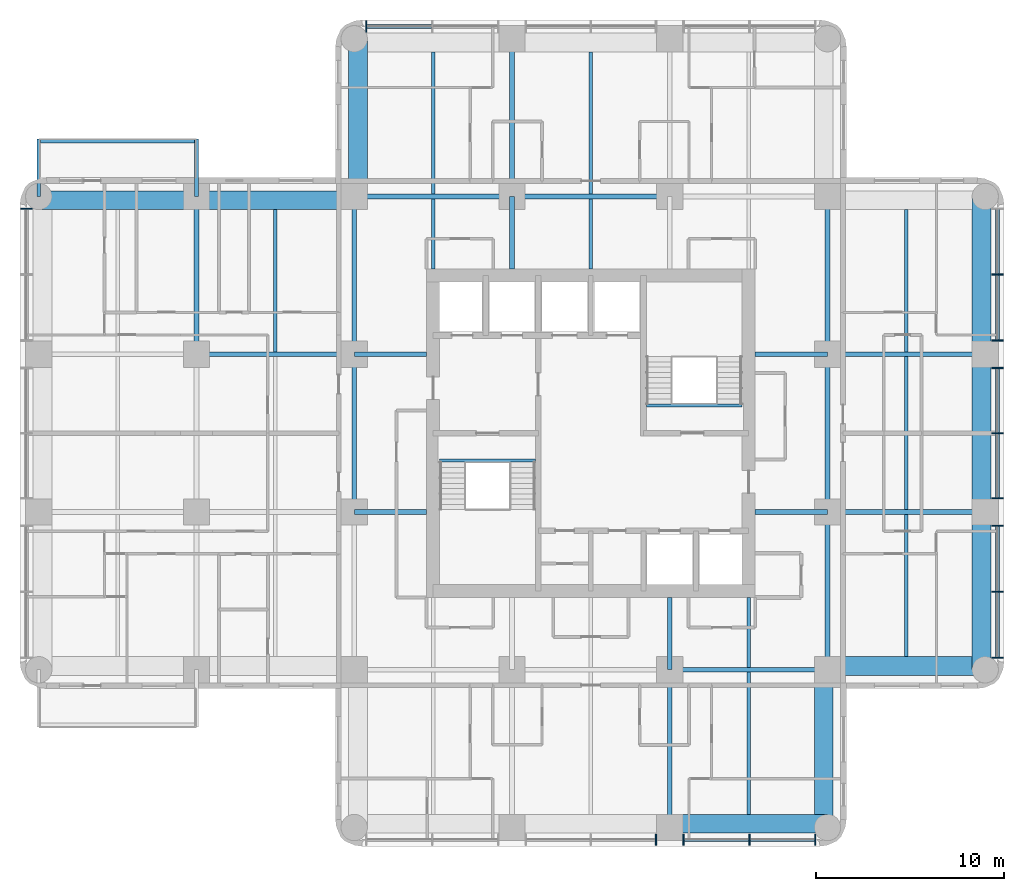
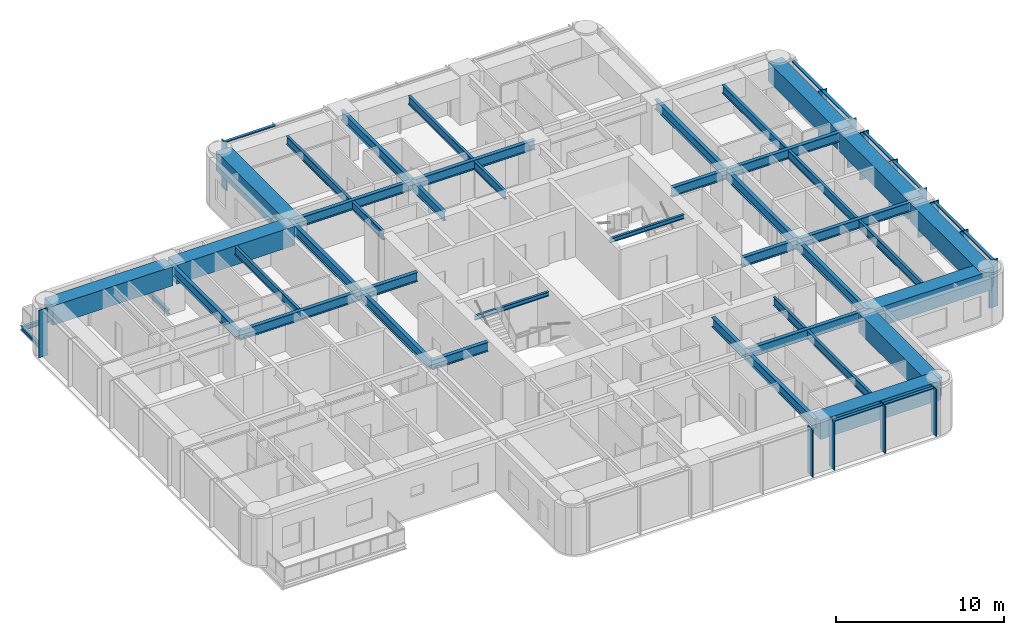
# One storey, part 2 of 11: 44 beams, 23 members, 4 elements without a shape of their own.
"""IFC4 building model written with IfcOpenShell, lengths in metres."""

from ifc_helpers import new_model, si_unit, direction, frame, origin, origin_2d, place, context, subcontext, project, spatial, rectangle, i_section, extrude, material, material_profile, profile_set, type_object, element, aggregate, save


model = new_model("IFC4")

# Units and contexts
model_context = context("Model", 3, precision=1e-05, world=origin(), true_north=direction((0.0, 1.0)))
body_context = subcontext(model_context, "Body", "Model", "MODEL_VIEW")
ifc_project = project(units=[si_unit("LENGTHUNIT", "METRE"), si_unit("AREAUNIT", "SQUARE_METRE"), si_unit("VOLUMEUNIT", "CUBIC_METRE"), si_unit("PLANEANGLEUNIT", "RADIAN"), si_unit("MASSUNIT", "GRAM", prefix="KILO")], contexts=[model_context])

# Site, building, storey
site_placement = place(None, origin())
site = spatial("IfcSite", under=ifc_project, at=site_placement, CompositionType="ELEMENT")
building_placement = place(site_placement, origin())
building = spatial("IfcBuilding", under=site, at=building_placement, Name="Torre Alcanfor", CompositionType="ELEMENT")
storey_placement = place(building_placement, frame((0.0, 0.0, 197.699951171875)))
storey = spatial("IfcBuildingStorey", under=building, at=storey_placement, Name="L51", CompositionType="ELEMENT", Elevation=197.699951171875)

# Beams
ifc_material_1 = material(Name="Steel ASTM A992 Grade 50", Category="steel")
ifc_material_profile_1 = material_profile(ifc_material_1, i_section(OverallWidth=0.205322265625, OverallDepth=0.309814453125, WebThickness=0.00927734375, FlangeThickness=0.016357421875, at=origin_2d()), Name="W12x50")
ifc_profile_set_1 = profile_set([ifc_material_profile_1], Name="Steel ASTM A992 Grade 50")
beam_type_1 = type_object("IfcBeamType", Name="Balcony cantilever beam W12x50", PredefinedType="BEAM", material=ifc_profile_set_1)
for number, where, z_axis, x_axis, name in (
    (1, (8.39990234375, 42.0, -0.35498046875), (0.0, 1.0, 0.0), (-1.0, 0.0, 0.0), "Balcony cantilever beam L51-W2 1"),
    (2, (0.0, 42.0, -0.35498046875), (0.0, 1.0, 0.0), (-1.0, 0.0, 0.0), "Balcony cantilever beam L51-W2 2"),
):
    element("IfcBeam", number, at=place(storey_placement, frame(where, z_axis=z_axis, x_axis=x_axis)), inside=storey, type_object=beam_type_1, Name=name, PredefinedType="BEAM", context=body_context, shape_type="SweptSolid", body=[
        extrude(i_section(OverallWidth=0.205322265625, OverallDepth=0.309814453125, WebThickness=0.00927734375, FlangeThickness=0.016357421875, at=origin_2d()), origin(), (0.0, 0.0, 1.0), 3.050048828125),
    ])
ifc_material_2 = material(Name="Steel ASTM A992 Grade 50", Category="steel")
ifc_material_profile_2 = material_profile(ifc_material_2, i_section(OverallWidth=0.203369140625, OverallDepth=0.30224609375, WebThickness=0.007568359375, FlangeThickness=0.01318359375, at=origin_2d()), Name="W12x40")
ifc_profile_set_2 = profile_set([ifc_material_profile_2], Name="Steel ASTM A992 Grade 50")
beam_type_2 = type_object("IfcBeamType", Name="Balcony edge trimmer W12x40", PredefinedType="BEAM", material=ifc_profile_set_2)
beam_1_placement = place(storey_placement, frame((8.39990234375, 44.9482421875, -0.35107421875), z_axis=(-1.0, 0.0, 0.0), x_axis=(0.0, -1.0, 0.0)))
element("IfcBeam", 3, at=beam_1_placement, inside=storey, type_object=beam_type_2, Name="Balcony edge trimmer L51-W2", PredefinedType="BEAM", context=body_context, shape_type="SweptSolid", body=[
    extrude(i_section(OverallWidth=0.203369140625, OverallDepth=0.30224609375, WebThickness=0.007568359375, FlangeThickness=0.01318359375, at=origin_2d()), origin(), (0.0, 0.0, 1.0), 8.39990234375),
])

# Curtain wall, member
ifc_material_3 = material(Name="Aluminium and glass", Category="aluminium")
curtain_wall_type = type_object("IfcCurtainWallType", Name="CW-A unitised apartment glazing with vertical FIN", PredefinedType="NOTDEFINED", material=ifc_material_3)
curtain_wall_1_placement = place(storey_placement, origin())
curtain_wall_1 = element("IfcCurtainWall", 4, at=curtain_wall_1_placement, inside=storey, type_object=curtain_wall_type, Name="Curtain wall CW-A L51 2", PredefinedType="NOTDEFINED")
ifc_material_4 = material(Name="Bronze anodised aluminium", Category="aluminium")
ifc_material_profile_3 = material_profile(ifc_material_4, rectangle(XDim=0.60009765625, YDim=0.06494140625, at=origin_2d()), Name="CW-A mullion 65x600")
ifc_profile_set_3 = profile_set([ifc_material_profile_3], Name="Bronze anodised aluminium")
member_type_1 = type_object("IfcMemberType", Name="CW-A mullion with vertical FIN 65x600", PredefinedType="MULLION", material=ifc_profile_set_3)
member_1_placement = place(storey_placement, frame((-0.64990234375, 41.35546875, 0.0), z_axis=(0.0, 0.0, 1.0), x_axis=(1.0, 0.0, 0.0)))
member_1 = element("IfcMember", 5, at=member_1_placement, type_object=member_type_1, Name="CW-A mullion 1.1", PredefinedType="MULLION", context=body_context, shape_type="SweptSolid", body=[
    extrude(rectangle(XDim=0.60009765625, YDim=0.06494140625, at=origin_2d()), origin(), (0.0, 0.0, 1.0), 3.449951171875),
])
aggregate(curtain_wall_1, [member_1])

# Curtain wall, members
curtain_wall_2_placement = place(storey_placement, origin())
curtain_wall_2 = element("IfcCurtainWall", 6, at=curtain_wall_2_placement, inside=storey, type_object=curtain_wall_type, Name="Curtain wall CW-A L51 5", PredefinedType="NOTDEFINED")
member_2_placement = place(storey_placement, frame((32.862548828125, 7.75, 0.0), z_axis=(0.0, 0.0, 1.0), x_axis=(0.0, 1.0, 0.0)))
member_2 = element("IfcMember", 7, at=member_2_placement, type_object=member_type_1, Name="CW-A mullion 2.3", PredefinedType="MULLION", context=body_context, shape_type="SweptSolid", body=[
    extrude(rectangle(XDim=0.60009765625, YDim=0.06494140625, at=origin_2d()), origin(), (0.0, 0.0, 1.0), 3.449951171875),
])
member_3_placement = place(storey_placement, frame((34.33740234375, 7.75, 0.0), z_axis=(0.0, 0.0, 1.0), x_axis=(0.0, 1.0, 0.0)))
member_3 = element("IfcMember", 8, at=member_3_placement, type_object=member_type_1, Name="CW-A mullion 3.1", PredefinedType="MULLION", context=body_context, shape_type="SweptSolid", body=[
    extrude(rectangle(XDim=0.60009765625, YDim=0.06494140625, at=origin_2d()), origin(), (0.0, 0.0, 1.0), 3.449951171875),
])
member_4_placement = place(storey_placement, frame((37.846435546875, 7.75, 0.0), z_axis=(0.0, 0.0, 1.0), x_axis=(0.0, 1.0, 0.0)))
member_4 = element("IfcMember", 9, at=member_4_placement, type_object=member_type_1, Name="CW-A mullion 3.2", PredefinedType="MULLION", context=body_context, shape_type="SweptSolid", body=[
    extrude(rectangle(XDim=0.60009765625, YDim=0.06494140625, at=origin_2d()), origin(), (0.0, 0.0, 1.0), 3.449951171875),
])
member_5_placement = place(storey_placement, frame((41.35546875, 7.75, 0.0), z_axis=(0.0, 0.0, 1.0), x_axis=(0.0, 1.0, 0.0)))
member_5 = element("IfcMember", 10, at=member_5_placement, type_object=member_type_1, Name="CW-A mullion 3.3", PredefinedType="MULLION", context=body_context, shape_type="SweptSolid", body=[
    extrude(rectangle(XDim=0.60009765625, YDim=0.06494140625, at=origin_2d()), origin(), (0.0, 0.0, 1.0), 3.449951171875),
])

curtain_wall_3_placement = place(storey_placement, origin())
curtain_wall_3 = element("IfcCurtainWall", 11, at=curtain_wall_3_placement, inside=storey, type_object=curtain_wall_type, Name="Curtain wall CW-A L51 8", PredefinedType="NOTDEFINED")
member_6_placement = place(storey_placement, frame((51.050048828125, 17.444580078125, 0.0), z_axis=(0.0, 0.0, 1.0), x_axis=(-1.0, 0.0, 0.0)))
member_6 = element("IfcMember", 12, at=member_6_placement, type_object=member_type_1, Name="CW-A mullion 1.1", PredefinedType="MULLION", context=body_context, shape_type="SweptSolid", body=[
    extrude(rectangle(XDim=0.60009765625, YDim=0.06494140625, at=origin_2d()), origin(), (0.0, 0.0, 1.0), 3.449951171875),
])
member_7_placement = place(storey_placement, frame((51.050048828125, 20.95361328125, 0.0), z_axis=(0.0, 0.0, 1.0), x_axis=(-1.0, 0.0, 0.0)))
member_7 = element("IfcMember", 13, at=member_7_placement, type_object=member_type_1, Name="CW-A mullion 1.2", PredefinedType="MULLION", context=body_context, shape_type="SweptSolid", body=[
    extrude(rectangle(XDim=0.60009765625, YDim=0.06494140625, at=origin_2d()), origin(), (0.0, 0.0, 1.0), 3.449951171875),
])
member_8_placement = place(storey_placement, frame((51.050048828125, 24.46240234375, 0.0), z_axis=(0.0, 0.0, 1.0), x_axis=(-1.0, 0.0, 0.0)))
member_8 = element("IfcMember", 14, at=member_8_placement, type_object=member_type_1, Name="CW-A mullion 1.3", PredefinedType="MULLION", context=body_context, shape_type="SweptSolid", body=[
    extrude(rectangle(XDim=0.60009765625, YDim=0.06494140625, at=origin_2d()), origin(), (0.0, 0.0, 1.0), 3.449951171875),
])
member_9_placement = place(storey_placement, frame((51.050048828125, 25.9375, 0.0), z_axis=(0.0, 0.0, 1.0), x_axis=(-1.0, 0.0, 0.0)))
member_9 = element("IfcMember", 15, at=member_9_placement, type_object=member_type_1, Name="CW-A mullion 2.1", PredefinedType="MULLION", context=body_context, shape_type="SweptSolid", body=[
    extrude(rectangle(XDim=0.60009765625, YDim=0.06494140625, at=origin_2d()), origin(), (0.0, 0.0, 1.0), 3.449951171875),
])
member_10_placement = place(storey_placement, frame((51.050048828125, 29.39990234375, 0.0), z_axis=(0.0, 0.0, 1.0), x_axis=(-1.0, 0.0, 0.0)))
member_10 = element("IfcMember", 16, at=member_10_placement, type_object=member_type_1, Name="CW-A mullion 2.2", PredefinedType="MULLION", context=body_context, shape_type="SweptSolid", body=[
    extrude(rectangle(XDim=0.60009765625, YDim=0.06494140625, at=origin_2d()), origin(), (0.0, 0.0, 1.0), 3.449951171875),
])
member_11_placement = place(storey_placement, frame((51.050048828125, 32.862548828125, 0.0), z_axis=(0.0, 0.0, 1.0), x_axis=(-1.0, 0.0, 0.0)))
member_11 = element("IfcMember", 17, at=member_11_placement, type_object=member_type_1, Name="CW-A mullion 2.3", PredefinedType="MULLION", context=body_context, shape_type="SweptSolid", body=[
    extrude(rectangle(XDim=0.60009765625, YDim=0.06494140625, at=origin_2d()), origin(), (0.0, 0.0, 1.0), 3.449951171875),
])
member_12_placement = place(storey_placement, frame((51.050048828125, 34.33740234375, 0.0), z_axis=(0.0, 0.0, 1.0), x_axis=(-1.0, 0.0, 0.0)))
member_12 = element("IfcMember", 18, at=member_12_placement, type_object=member_type_1, Name="CW-A mullion 3.1", PredefinedType="MULLION", context=body_context, shape_type="SweptSolid", body=[
    extrude(rectangle(XDim=0.60009765625, YDim=0.06494140625, at=origin_2d()), origin(), (0.0, 0.0, 1.0), 3.449951171875),
])
member_13_placement = place(storey_placement, frame((51.050048828125, 37.846435546875, 0.0), z_axis=(0.0, 0.0, 1.0), x_axis=(-1.0, 0.0, 0.0)))
member_13 = element("IfcMember", 19, at=member_13_placement, type_object=member_type_1, Name="CW-A mullion 3.2", PredefinedType="MULLION", context=body_context, shape_type="SweptSolid", body=[
    extrude(rectangle(XDim=0.60009765625, YDim=0.06494140625, at=origin_2d()), origin(), (0.0, 0.0, 1.0), 3.449951171875),
])

# Curtain wall, member
curtain_wall_4_placement = place(storey_placement, origin())
curtain_wall_4 = element("IfcCurtainWall", 20, at=curtain_wall_4_placement, inside=storey, type_object=curtain_wall_type, Name="Curtain wall CW-A L51 11", PredefinedType="NOTDEFINED")
member_14_placement = place(storey_placement, frame((17.444580078125, 51.050048828125, 0.0), z_axis=(0.0, 0.0, 1.0), x_axis=(0.0, -1.0, 0.0)))
member_14 = element("IfcMember", 21, at=member_14_placement, type_object=member_type_1, Name="CW-A mullion 3.3", PredefinedType="MULLION", context=body_context, shape_type="SweptSolid", body=[
    extrude(rectangle(XDim=0.60009765625, YDim=0.06494140625, at=origin_2d()), origin(), (0.0, 0.0, 1.0), 3.449951171875),
])

# Member
ifc_material_5 = material(Name="Extruded aluminium", Category="aluminium")
ifc_material_profile_4 = material_profile(ifc_material_5, rectangle(XDim=0.199951171875, YDim=0.06494140625, at=origin_2d()), Name="CW-A transom 200x65")
ifc_profile_set_4 = profile_set([ifc_material_profile_4], Name="Extruded aluminium")
member_type_2 = type_object("IfcMemberType", Name="CW-A transom 65x200", PredefinedType="USERDEFINED", material=ifc_profile_set_4)
member_15_placement = place(storey_placement, frame((34.3701171875, 7.75, 3.41748046875), z_axis=(1.0, 0.0, 0.0), x_axis=(0.0, 1.0, 0.0)))
member_15 = element("IfcMember", 22, at=member_15_placement, type_object=member_type_2, Name="CW-A transom 3.1.2", ObjectType="TRANSOM", PredefinedType="USERDEFINED", context=body_context, shape_type="SweptSolid", body=[
    extrude(rectangle(XDim=0.199951171875, YDim=0.06494140625, at=origin_2d()), origin(), (0.0, 0.0, 1.0), 3.44384765625),
])

member_16_placement = place(storey_placement, frame((37.87890625, 7.75, 3.41748046875), z_axis=(1.0, 0.0, 0.0), x_axis=(0.0, 1.0, 0.0)))
member_16 = element("IfcMember", 23, at=member_16_placement, type_object=member_type_2, Name="CW-A transom 3.2.2", ObjectType="TRANSOM", PredefinedType="USERDEFINED", context=body_context, shape_type="SweptSolid", body=[
    extrude(rectangle(XDim=0.199951171875, YDim=0.06494140625, at=origin_2d()), origin(), (0.0, 0.0, 1.0), 3.444091796875),
])

aggregate(curtain_wall_2, [member_2, member_3, member_4, member_5, member_15, member_16])

member_17_placement = place(storey_placement, frame((51.050048828125, 17.47705078125, 3.41748046875), z_axis=(0.0, 1.0, 0.0), x_axis=(-1.0, 0.0, 0.0)))
member_17 = element("IfcMember", 24, at=member_17_placement, type_object=member_type_2, Name="CW-A transom 1.1.2", ObjectType="TRANSOM", PredefinedType="USERDEFINED", context=body_context, shape_type="SweptSolid", body=[
    extrude(rectangle(XDim=0.199951171875, YDim=0.06494140625, at=origin_2d()), origin(), (0.0, 0.0, 1.0), 3.44384765625),
])

member_18_placement = place(storey_placement, frame((51.050048828125, 20.986083984375, 3.41748046875), z_axis=(0.0, 1.0, 0.0), x_axis=(-1.0, 0.0, 0.0)))
member_18 = element("IfcMember", 25, at=member_18_placement, type_object=member_type_2, Name="CW-A transom 1.2.2", ObjectType="TRANSOM", PredefinedType="USERDEFINED", context=body_context, shape_type="SweptSolid", body=[
    extrude(rectangle(XDim=0.199951171875, YDim=0.06494140625, at=origin_2d()), origin(), (0.0, 0.0, 1.0), 3.44384765625),
])

member_19_placement = place(storey_placement, frame((51.050048828125, 25.969970703125, 3.41748046875), z_axis=(0.0, 1.0, 0.0), x_axis=(-1.0, 0.0, 0.0)))
member_19 = element("IfcMember", 26, at=member_19_placement, type_object=member_type_2, Name="CW-A transom 2.1.2", ObjectType="TRANSOM", PredefinedType="USERDEFINED", context=body_context, shape_type="SweptSolid", body=[
    extrude(rectangle(XDim=0.199951171875, YDim=0.06494140625, at=origin_2d()), origin(), (0.0, 0.0, 1.0), 3.3974609375),
])

member_20_placement = place(storey_placement, frame((51.050048828125, 29.4326171875, 3.41748046875), z_axis=(0.0, 1.0, 0.0), x_axis=(-1.0, 0.0, 0.0)))
member_20 = element("IfcMember", 27, at=member_20_placement, type_object=member_type_2, Name="CW-A transom 2.2.2", ObjectType="TRANSOM", PredefinedType="USERDEFINED", context=body_context, shape_type="SweptSolid", body=[
    extrude(rectangle(XDim=0.199951171875, YDim=0.06494140625, at=origin_2d()), origin(), (0.0, 0.0, 1.0), 3.3974609375),
])

member_21_placement = place(storey_placement, frame((51.050048828125, 34.3701171875, 3.41748046875), z_axis=(0.0, 1.0, 0.0), x_axis=(-1.0, 0.0, 0.0)))
member_21 = element("IfcMember", 28, at=member_21_placement, type_object=member_type_2, Name="CW-A transom 3.1.2", ObjectType="TRANSOM", PredefinedType="USERDEFINED", context=body_context, shape_type="SweptSolid", body=[
    extrude(rectangle(XDim=0.199951171875, YDim=0.06494140625, at=origin_2d()), origin(), (0.0, 0.0, 1.0), 3.44384765625),
])

member_22_placement = place(storey_placement, frame((51.050048828125, 37.87890625, 3.41748046875), z_axis=(0.0, 1.0, 0.0), x_axis=(-1.0, 0.0, 0.0)))
member_22 = element("IfcMember", 29, at=member_22_placement, type_object=member_type_2, Name="CW-A transom 3.2.2", ObjectType="TRANSOM", PredefinedType="USERDEFINED", context=body_context, shape_type="SweptSolid", body=[
    extrude(rectangle(XDim=0.199951171875, YDim=0.06494140625, at=origin_2d()), origin(), (0.0, 0.0, 1.0), 3.444091796875),
])

aggregate(curtain_wall_3, [member_6, member_7, member_8, member_17, member_18, member_9, member_10, member_11, member_19, member_20, member_12, member_13, member_21, member_22])

member_23_placement = place(storey_placement, frame((20.9208984375, 51.050048828125, 3.41748046875), z_axis=(-1.0, 0.0, 0.0), x_axis=(0.0, -1.0, 0.0)))
member_23 = element("IfcMember", 30, at=member_23_placement, type_object=member_type_2, Name="CW-A transom 3.2.2", ObjectType="TRANSOM", PredefinedType="USERDEFINED", context=body_context, shape_type="SweptSolid", body=[
    extrude(rectangle(XDim=0.199951171875, YDim=0.06494140625, at=origin_2d()), origin(), (0.0, 0.0, 1.0), 3.44384765625),
])

aggregate(curtain_wall_4, [member_14, member_23])

# Beams
ifc_material_6 = material(Name="Steel ASTM A992 Grade 50", Category="steel")
ifc_material_profile_5 = material_profile(ifc_material_6, i_section(OverallWidth=0.25390625, OverallDepth=0.683349609375, WebThickness=0.012451171875, FlangeThickness=0.01904296875, at=origin_2d()), Name="W27x94")
ifc_profile_set_5 = profile_set([ifc_material_profile_5], Name="Steel ASTM A992 Grade 50")
beam_type_3 = type_object("IfcBeamType", Name="Girder W27x94", PredefinedType="BEAM", material=ifc_profile_set_5)
for number, where, z_axis, x_axis, name in (
    (31, (33.60009765625, 16.800048828125, 3.1083984375), (1.0, 0.0, 0.0), (0.0, 1.0, 0.0), "Beam 5E-6E under L52"),
    (32, (42.0, 25.199951171875, 3.1083984375), (1.0, 0.0, 0.0), (0.0, 1.0, 0.0), "Beam 6F-7F under L52"),
):
    element("IfcBeam", number, at=place(storey_placement, frame(where, z_axis=z_axis, x_axis=x_axis)), inside=storey, type_object=beam_type_3, Name=name, PredefinedType="BEAM", context=body_context, shape_type="SweptSolid", body=[
        extrude(i_section(OverallWidth=0.25390625, OverallDepth=0.683349609375, WebThickness=0.012451171875, FlangeThickness=0.01904296875, at=origin_2d()), origin(), (0.0, 0.0, 1.0), 8.39990234375),
    ])
beam_2_placement = place(storey_placement, frame((8.39990234375, 33.60009765625, 3.1083984375), z_axis=(1.0, 0.0, 0.0), x_axis=(0.0, 1.0, 0.0)))
element("IfcBeam", 33, at=beam_2_placement, inside=storey, type_object=beam_type_3, Name="Beam 2G-3G under L52", PredefinedType="BEAM", context=body_context, shape_type="SweptSolid", body=[
    extrude(i_section(OverallWidth=0.25390625, OverallDepth=0.683349609375, WebThickness=0.012451171875, FlangeThickness=0.01904296875, at=origin_2d()), origin(), (0.0, 0.0, 1.0), 8.400146484375),
])
for number, where, z_axis, x_axis, name in (
    (34, (42.0, 33.60009765625, 3.1083984375), (1.0, 0.0, 0.0), (0.0, 1.0, 0.0), "Beam 6G-7G under L52"),
    (35, (16.800048828125, 42.0, 3.1083984375), (1.0, 0.0, 0.0), (0.0, 1.0, 0.0), "Beam 3H-4H under L52"),
):
    element("IfcBeam", number, at=place(storey_placement, frame(where, z_axis=z_axis, x_axis=x_axis)), inside=storey, type_object=beam_type_3, Name=name, PredefinedType="BEAM", context=body_context, shape_type="SweptSolid", body=[
        extrude(i_section(OverallWidth=0.25390625, OverallDepth=0.683349609375, WebThickness=0.012451171875, FlangeThickness=0.01904296875, at=origin_2d()), origin(), (0.0, 0.0, 1.0), 8.39990234375),
    ])
beam_3_placement = place(storey_placement, frame((25.199951171875, 42.0, 3.1083984375), z_axis=(1.0, 0.0, 0.0), x_axis=(0.0, 1.0, 0.0)))
element("IfcBeam", 36, at=beam_3_placement, inside=storey, type_object=beam_type_3, Name="Beam 4H-5H under L52", PredefinedType="BEAM", context=body_context, shape_type="SweptSolid", body=[
    extrude(i_section(OverallWidth=0.25390625, OverallDepth=0.683349609375, WebThickness=0.012451171875, FlangeThickness=0.01904296875, at=origin_2d()), origin(), (0.0, 0.0, 1.0), 8.400146484375),
])
beam_4_placement = place(storey_placement, frame((8.39990234375, 33.60009765625, 3.1083984375), z_axis=(0.0, 1.0, 0.0), x_axis=(-1.0, 0.0, 0.0)))
element("IfcBeam", 37, at=beam_4_placement, inside=storey, type_object=beam_type_3, Name="Beam 2G-2H under L52", PredefinedType="BEAM", context=body_context, shape_type="SweptSolid", body=[
    extrude(i_section(OverallWidth=0.25390625, OverallDepth=0.683349609375, WebThickness=0.012451171875, FlangeThickness=0.01904296875, at=origin_2d()), origin(), (0.0, 0.0, 1.0), 8.39990234375),
])
beam_5_placement = place(storey_placement, frame((16.800048828125, 25.199951171875, 3.1083984375), z_axis=(0.0, 1.0, 0.0), x_axis=(-1.0, 0.0, 0.0)))
element("IfcBeam", 38, at=beam_5_placement, inside=storey, type_object=beam_type_3, Name="Beam 3F-3G under L52", PredefinedType="BEAM", context=body_context, shape_type="SweptSolid", body=[
    extrude(i_section(OverallWidth=0.25390625, OverallDepth=0.683349609375, WebThickness=0.012451171875, FlangeThickness=0.01904296875, at=origin_2d()), origin(), (0.0, 0.0, 1.0), 8.400146484375),
])
for number, where, z_axis, x_axis, name in (
    (39, (16.800048828125, 33.60009765625, 3.1083984375), (0.0, 1.0, 0.0), (-1.0, 0.0, 0.0), "Beam 3G-3H under L52"),
    (40, (25.199951171875, 42.0, 3.1083984375), (0.0, 1.0, 0.0), (-1.0, 0.0, 0.0), "Beam 4H-4J under L52"),
):
    element("IfcBeam", number, at=place(storey_placement, frame(where, z_axis=z_axis, x_axis=x_axis)), inside=storey, type_object=beam_type_3, Name=name, PredefinedType="BEAM", context=body_context, shape_type="SweptSolid", body=[
        extrude(i_section(OverallWidth=0.25390625, OverallDepth=0.683349609375, WebThickness=0.012451171875, FlangeThickness=0.01904296875, at=origin_2d()), origin(), (0.0, 0.0, 1.0), 8.39990234375),
    ])
beam_6_placement = place(storey_placement, frame((33.60009765625, 8.39990234375, 3.1083984375), z_axis=(0.0, 1.0, 0.0), x_axis=(-1.0, 0.0, 0.0)))
element("IfcBeam", 41, at=beam_6_placement, inside=storey, type_object=beam_type_3, Name="Beam 5D-5E under L52", PredefinedType="BEAM", context=body_context, shape_type="SweptSolid", body=[
    extrude(i_section(OverallWidth=0.25390625, OverallDepth=0.683349609375, WebThickness=0.012451171875, FlangeThickness=0.01904296875, at=origin_2d()), origin(), (0.0, 0.0, 1.0), 8.400146484375),
])
beam_7_placement = place(storey_placement, frame((42.0, 16.800048828125, 3.1083984375), z_axis=(0.0, 1.0, 0.0), x_axis=(-1.0, 0.0, 0.0)))
element("IfcBeam", 42, at=beam_7_placement, inside=storey, type_object=beam_type_3, Name="Beam 6E-6F under L52", PredefinedType="BEAM", context=body_context, shape_type="SweptSolid", body=[
    extrude(i_section(OverallWidth=0.25390625, OverallDepth=0.683349609375, WebThickness=0.012451171875, FlangeThickness=0.01904296875, at=origin_2d()), origin(), (0.0, 0.0, 1.0), 8.39990234375),
])
beam_8_placement = place(storey_placement, frame((42.0, 25.199951171875, 3.1083984375), z_axis=(0.0, 1.0, 0.0), x_axis=(-1.0, 0.0, 0.0)))
element("IfcBeam", 43, at=beam_8_placement, inside=storey, type_object=beam_type_3, Name="Beam 6F-6G under L52", PredefinedType="BEAM", context=body_context, shape_type="SweptSolid", body=[
    extrude(i_section(OverallWidth=0.25390625, OverallDepth=0.683349609375, WebThickness=0.012451171875, FlangeThickness=0.01904296875, at=origin_2d()), origin(), (0.0, 0.0, 1.0), 8.400146484375),
])
beam_9_placement = place(storey_placement, frame((42.0, 33.60009765625, 3.1083984375), z_axis=(0.0, 1.0, 0.0), x_axis=(-1.0, 0.0, 0.0)))
element("IfcBeam", 44, at=beam_9_placement, inside=storey, type_object=beam_type_3, Name="Beam 6G-6H under L52", PredefinedType="BEAM", context=body_context, shape_type="SweptSolid", body=[
    extrude(i_section(OverallWidth=0.25390625, OverallDepth=0.683349609375, WebThickness=0.012451171875, FlangeThickness=0.01904296875, at=origin_2d()), origin(), (0.0, 0.0, 1.0), 8.39990234375),
])
ifc_material_7 = material(Name="Steel ASTM A992 Grade 50", Category="steel")
ifc_material_profile_6 = material_profile(ifc_material_7, i_section(OverallWidth=0.25390625, OverallDepth=0.683349609375, WebThickness=0.012451171875, FlangeThickness=0.01904296875, at=origin_2d()), Name="W27x94")
ifc_profile_set_6 = profile_set([ifc_material_profile_6], Name="Steel ASTM A992 Grade 50")
beam_type_4 = type_object("IfcBeamType", Name="Girder, part bay W27x94", PredefinedType="BEAM", material=ifc_profile_set_6)
beam_10_placement = place(storey_placement, frame((25.199951171875, 42.0, 3.1083984375), z_axis=(0.0, -1.0, 0.0), x_axis=(1.0, 0.0, 0.0)))
element("IfcBeam", 45, at=beam_10_placement, inside=storey, type_object=beam_type_4, Name="Beam 4H-438_15 under L52", PredefinedType="BEAM", context=body_context, shape_type="SweptSolid", body=[
    extrude(i_section(OverallWidth=0.25390625, OverallDepth=0.683349609375, WebThickness=0.012451171875, FlangeThickness=0.01904296875, at=origin_2d()), origin(), (0.0, 0.0, 1.0), 3.85009765625),
])
for number, where, z_axis, x_axis, name in (
    (46, (33.60009765625, 16.800048828125, 3.1083984375), (0.0, 1.0, 0.0), (-1.0, 0.0, 0.0), "Beam 5E-520_65 under L52"),
    (47, (16.800048828125, 25.199951171875, 3.1083984375), (1.0, 0.0, 0.0), (0.0, 1.0, 0.0), "Beam 3F-20_65F under L52"),
):
    element("IfcBeam", number, at=place(storey_placement, frame(where, z_axis=z_axis, x_axis=x_axis)), inside=storey, type_object=beam_type_4, Name=name, PredefinedType="BEAM", context=body_context, shape_type="SweptSolid", body=[
        extrude(i_section(OverallWidth=0.25390625, OverallDepth=0.683349609375, WebThickness=0.012451171875, FlangeThickness=0.01904296875, at=origin_2d()), origin(), (0.0, 0.0, 1.0), 3.849853515625),
    ])
beam_11_placement = place(storey_placement, frame((42.0, 25.199951171875, 3.1083984375), z_axis=(-1.0, 0.0, 0.0), x_axis=(0.0, -1.0, 0.0)))
element("IfcBeam", 48, at=beam_11_placement, inside=storey, type_object=beam_type_4, Name="Beam 6F-38_15F under L52", PredefinedType="BEAM", context=body_context, shape_type="SweptSolid", body=[
    extrude(i_section(OverallWidth=0.25390625, OverallDepth=0.683349609375, WebThickness=0.012451171875, FlangeThickness=0.01904296875, at=origin_2d()), origin(), (0.0, 0.0, 1.0), 3.85009765625),
])
beam_12_placement = place(storey_placement, frame((16.800048828125, 33.60009765625, 3.1083984375), z_axis=(1.0, 0.0, 0.0), x_axis=(0.0, 1.0, 0.0)))
element("IfcBeam", 49, at=beam_12_placement, inside=storey, type_object=beam_type_4, Name="Beam 3G-20_65G under L52", PredefinedType="BEAM", context=body_context, shape_type="SweptSolid", body=[
    extrude(i_section(OverallWidth=0.25390625, OverallDepth=0.683349609375, WebThickness=0.012451171875, FlangeThickness=0.01904296875, at=origin_2d()), origin(), (0.0, 0.0, 1.0), 3.849853515625),
])
beam_13_placement = place(storey_placement, frame((42.0, 33.60009765625, 3.1083984375), z_axis=(-1.0, 0.0, 0.0), x_axis=(0.0, -1.0, 0.0)))
element("IfcBeam", 50, at=beam_13_placement, inside=storey, type_object=beam_type_4, Name="Beam 6G-38_15G under L52", PredefinedType="BEAM", context=body_context, shape_type="SweptSolid", body=[
    extrude(i_section(OverallWidth=0.25390625, OverallDepth=0.683349609375, WebThickness=0.012451171875, FlangeThickness=0.01904296875, at=origin_2d()), origin(), (0.0, 0.0, 1.0), 3.85009765625),
])
ifc_material_8 = material(Name="Concrete f'c 70 MPa", Category="concrete")
ifc_material_profile_7 = material_profile(ifc_material_8, rectangle(XDim=1.0, YDim=1.39990234375, at=origin_2d()), Name="1000x1400")
ifc_profile_set_7 = profile_set([ifc_material_profile_7], Name="Concrete f'c 70 MPa")
beam_type_5 = type_object("IfcBeamType", Name="RC perimeter beam 1000x1400", PredefinedType="BEAM", material=ifc_profile_set_7)
for number, where, z_axis, x_axis, name in (
    (51, (33.72705078125, 8.60009765625, 2.75), (1.0, 0.0, 0.0), (0.0, 1.0, 0.0), "Beam 5D-6D under L52"),
    (52, (42.126953125, 17.0, 2.75), (1.0, 0.0, 0.0), (0.0, 1.0, 0.0), "Beam 6E-7E under L52"),
    (53, (0.0, 41.800048828125, 2.75), (1.0, 0.0, 0.0), (0.0, 1.0, 0.0), "Beam 1H-2H under L52"),
):
    element("IfcBeam", number, at=place(storey_placement, frame(where, z_axis=z_axis, x_axis=x_axis)), inside=storey, type_object=beam_type_5, Name=name, PredefinedType="BEAM", context=body_context, shape_type="SweptSolid", body=[
        extrude(rectangle(XDim=1.0, YDim=1.39990234375, at=origin_2d()), origin(), (0.0, 0.0, 1.0), 8.27294921875),
    ])
beam_14_placement = place(storey_placement, frame((8.527099609375, 41.800048828125, 2.75), z_axis=(1.0, 0.0, 0.0), x_axis=(0.0, 1.0, 0.0)))
element("IfcBeam", 54, at=beam_14_placement, inside=storey, type_object=beam_type_5, Name="Beam 2H-3H under L52", PredefinedType="BEAM", context=body_context, shape_type="SweptSolid", body=[
    extrude(rectangle(XDim=1.0, YDim=1.39990234375, at=origin_2d()), origin(), (0.0, 0.0, 1.0), 8.14599609375),
])
beam_15_placement = place(storey_placement, frame((17.0, 42.126953125, 2.75), z_axis=(0.0, 1.0, 0.0), x_axis=(-1.0, 0.0, 0.0)))
element("IfcBeam", 55, at=beam_15_placement, inside=storey, type_object=beam_type_5, Name="Beam 3H-3J under L52", PredefinedType="BEAM", context=body_context, shape_type="SweptSolid", body=[
    extrude(rectangle(XDim=1.0, YDim=1.39990234375, at=origin_2d()), origin(), (0.0, 0.0, 1.0), 8.27294921875),
])
beam_16_placement = place(storey_placement, frame((41.800048828125, 8.39990234375, 2.75), z_axis=(0.0, 1.0, 0.0), x_axis=(-1.0, 0.0, 0.0)))
element("IfcBeam", 56, at=beam_16_placement, inside=storey, type_object=beam_type_5, Name="Beam 6D-6E under L52", PredefinedType="BEAM", context=body_context, shape_type="SweptSolid", body=[
    extrude(rectangle(XDim=1.0, YDim=1.39990234375, at=origin_2d()), origin(), (0.0, 0.0, 1.0), 8.273193359375),
])
beam_17_placement = place(storey_placement, frame((50.199951171875, 16.800048828125, 2.75), z_axis=(0.0, 1.0, 0.0), x_axis=(-1.0, 0.0, 0.0)))
element("IfcBeam", 57, at=beam_17_placement, inside=storey, type_object=beam_type_5, Name="Beam 7E-7F under L52", PredefinedType="BEAM", context=body_context, shape_type="SweptSolid", body=[
    extrude(rectangle(XDim=1.0, YDim=1.39990234375, at=origin_2d()), origin(), (0.0, 0.0, 1.0), 8.27294921875),
])
beam_18_placement = place(storey_placement, frame((50.199951171875, 25.326904296875, 2.75), z_axis=(0.0, 1.0, 0.0), x_axis=(-1.0, 0.0, 0.0)))
element("IfcBeam", 58, at=beam_18_placement, inside=storey, type_object=beam_type_5, Name="Beam 7F-7G under L52", PredefinedType="BEAM", context=body_context, shape_type="SweptSolid", body=[
    extrude(rectangle(XDim=1.0, YDim=1.39990234375, at=origin_2d()), origin(), (0.0, 0.0, 1.0), 8.14599609375),
])
beam_19_placement = place(storey_placement, frame((50.199951171875, 33.72705078125, 2.75), z_axis=(0.0, 1.0, 0.0), x_axis=(-1.0, 0.0, 0.0)))
element("IfcBeam", 59, at=beam_19_placement, inside=storey, type_object=beam_type_5, Name="Beam 7G-7H under L52", PredefinedType="BEAM", context=body_context, shape_type="SweptSolid", body=[
    extrude(rectangle(XDim=1.0, YDim=1.39990234375, at=origin_2d()), origin(), (0.0, 0.0, 1.0), 8.27294921875),
])
ifc_material_9 = material(Name="Steel ASTM A992 Grade 50", Category="steel")
ifc_material_profile_8 = material_profile(ifc_material_9, i_section(OverallWidth=0.1787109375, OverallDepth=0.60205078125, WebThickness=0.010986328125, FlangeThickness=0.014892578125, at=origin_2d()), Name="W24x62")
ifc_profile_set_8 = profile_set([ifc_material_profile_8], Name="Steel ASTM A992 Grade 50")
beam_type_6 = type_object("IfcBeamType", Name="Secondary beam W24x62", PredefinedType="BEAM", material=ifc_profile_set_8)
for number, where, z_axis, x_axis, name in (
    (60, (12.60009765625, 33.72705078125, 3.149169921875), (0.0, 1.0, 0.0), (-1.0, 0.0, 0.0), "Beam 12_6G-12_6H under L52"),
    (61, (21.0, 42.126953125, 3.149169921875), (0.0, 1.0, 0.0), (-1.0, 0.0, 0.0), "Beam 21H-21J under L52"),
    (62, (29.39990234375, 42.126953125, 3.149169921875), (0.0, 1.0, 0.0), (-1.0, 0.0, 0.0), "Beam 29_4H-29_4J under L52"),
    (63, (37.800048828125, 9.10009765625, 3.149169921875), (0.0, 1.0, 0.0), (-1.0, 0.0, 0.0), "Beam 37_8D-37_8E under L52"),
    (64, (46.199951171875, 17.5, 3.149169921875), (0.0, 1.0, 0.0), (-1.0, 0.0, 0.0), "Beam 46_2E-46_2F under L52"),
):
    element("IfcBeam", number, at=place(storey_placement, frame(where, z_axis=z_axis, x_axis=x_axis)), inside=storey, type_object=beam_type_6, Name=name, PredefinedType="BEAM", context=body_context, shape_type="SweptSolid", body=[
        extrude(i_section(OverallWidth=0.1787109375, OverallDepth=0.60205078125, WebThickness=0.010986328125, FlangeThickness=0.014892578125, at=origin_2d()), origin(), (0.0, 0.0, 1.0), 7.572998046875),
    ])
beam_20_placement = place(storey_placement, frame((46.199951171875, 25.326904296875, 3.149169921875), z_axis=(0.0, 1.0, 0.0), x_axis=(-1.0, 0.0, 0.0)))
element("IfcBeam", 65, at=beam_20_placement, inside=storey, type_object=beam_type_6, Name="Beam 46_2F-46_2G under L52", PredefinedType="BEAM", context=body_context, shape_type="SweptSolid", body=[
    extrude(i_section(OverallWidth=0.1787109375, OverallDepth=0.60205078125, WebThickness=0.010986328125, FlangeThickness=0.014892578125, at=origin_2d()), origin(), (0.0, 0.0, 1.0), 8.14599609375),
])
beam_21_placement = place(storey_placement, frame((46.199951171875, 33.72705078125, 3.149169921875), z_axis=(0.0, 1.0, 0.0), x_axis=(-1.0, 0.0, 0.0)))
element("IfcBeam", 66, at=beam_21_placement, inside=storey, type_object=beam_type_6, Name="Beam 46_2G-46_2H under L52", PredefinedType="BEAM", context=body_context, shape_type="SweptSolid", body=[
    extrude(i_section(OverallWidth=0.1787109375, OverallDepth=0.60205078125, WebThickness=0.010986328125, FlangeThickness=0.014892578125, at=origin_2d()), origin(), (0.0, 0.0, 1.0), 7.572998046875),
])
ifc_material_10 = material(Name="Steel ASTM A992 Grade 50", Category="steel")
ifc_material_profile_9 = material_profile(ifc_material_10, i_section(OverallWidth=0.1787109375, OverallDepth=0.60205078125, WebThickness=0.010986328125, FlangeThickness=0.014892578125, at=origin_2d()), Name="W24x62")
ifc_profile_set_9 = profile_set([ifc_material_profile_9], Name="Steel ASTM A992 Grade 50")
beam_type_7 = type_object("IfcBeamType", Name="Secondary beam, part bay W24x62", PredefinedType="BEAM", material=ifc_profile_set_9)
for number, where, z_axis, x_axis, name in (
    (67, (21.0, 38.14990234375, 3.149169921875), (0.0, 1.0, 0.0), (-1.0, 0.0, 0.0), "Beam 2138_15-21H under L52"),
    (68, (29.39990234375, 38.14990234375, 3.149169921875), (0.0, 1.0, 0.0), (-1.0, 0.0, 0.0), "Beam 29_438_15-29_4H under L52"),
):
    element("IfcBeam", number, at=place(storey_placement, frame(where, z_axis=z_axis, x_axis=x_axis)), inside=storey, type_object=beam_type_7, Name=name, PredefinedType="BEAM", context=body_context, shape_type="SweptSolid", body=[
        extrude(i_section(OverallWidth=0.1787109375, OverallDepth=0.60205078125, WebThickness=0.010986328125, FlangeThickness=0.014892578125, at=origin_2d()), origin(), (0.0, 0.0, 1.0), 3.72314453125),
    ])
beam_22_placement = place(storey_placement, frame((37.800048828125, 16.927001953125, 3.149169921875), z_axis=(0.0, 1.0, 0.0), x_axis=(-1.0, 0.0, 0.0)))
element("IfcBeam", 69, at=beam_22_placement, inside=storey, type_object=beam_type_7, Name="Beam 37_8E-37_820_65 under L52", PredefinedType="BEAM", context=body_context, shape_type="SweptSolid", body=[
    extrude(i_section(OverallWidth=0.1787109375, OverallDepth=0.60205078125, WebThickness=0.010986328125, FlangeThickness=0.014892578125, at=origin_2d()), origin(), (0.0, 0.0, 1.0), 3.722900390625),
])
ifc_material_11 = material(Name="Steel ASTM A992 Grade 50", Category="steel")
ifc_material_profile_10 = material_profile(ifc_material_11, i_section(OverallWidth=0.164794921875, OverallDepth=0.309814453125, WebThickness=0.005859375, FlangeThickness=0.009765625, at=origin_2d()), Name="W12x26")
ifc_profile_set_10 = profile_set([ifc_material_profile_10], Name="Steel ASTM A992 Grade 50")
beam_type_8 = type_object("IfcBeamType", Name="Stair landing beam W12x26", PredefinedType="BEAM", material=ifc_profile_set_10)
for number, where, z_axis, x_axis, name in (
    (70, (21.35009765625, 27.9375, 3.2451171875), (1.0, 0.0, 0.0), (0.0, 1.0, 0.0), "Landing trimmer S1 L52"),
    (71, (32.35009765625, 30.862548828125, 3.2451171875), (1.0, 0.0, 0.0), (0.0, 1.0, 0.0), "Landing trimmer S2 L52"),
):
    element("IfcBeam", number, at=place(storey_placement, frame(where, z_axis=z_axis, x_axis=x_axis)), inside=storey, type_object=beam_type_8, Name=name, PredefinedType="BEAM", context=body_context, shape_type="SweptSolid", body=[
        extrude(i_section(OverallWidth=0.164794921875, OverallDepth=0.309814453125, WebThickness=0.005859375, FlangeThickness=0.009765625, at=origin_2d()), origin(), (0.0, 0.0, 1.0), 5.099853515625),
    ])

save(model, "model.ifc")
